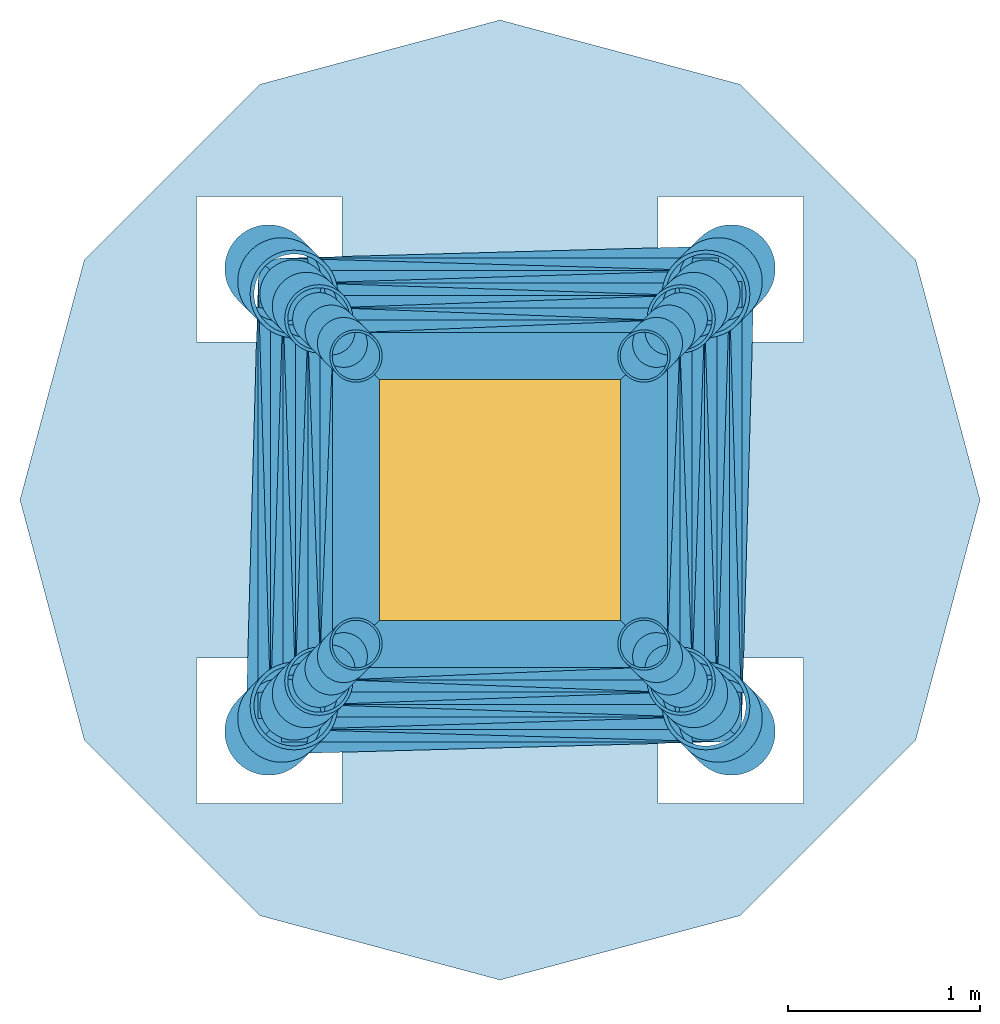
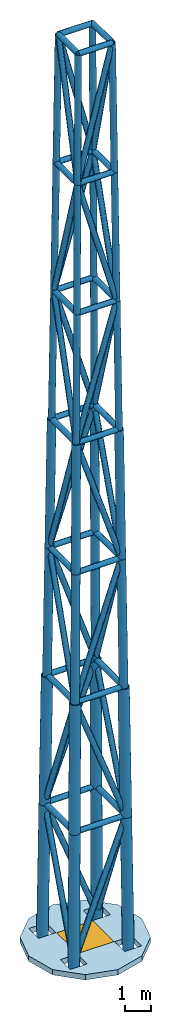
# One storey: 84 members, 1 slab, 1 window, 1 opening.
"""IFC4 building model written with IfcOpenShell, lengths in metres."""

import ifcopenshell
import ifcopenshell.guid

model = None  # the IFC model being written
_history = None  # IfcOwnerHistory: only IFC2X3 demands one
_inside = {}  # id of a spatial element -> (the spatial element, [elements in it])
_under = {}  # id of a project, library or spatial element -> (it, [spatial elements below it])
_declared = {}  # id of a project -> (the project, [libraries it declares])
_typed = {}  # id of a type object -> (the type object, [elements of that type])
_made_of = {}  # id of a material, layer set ... -> (it, [elements and type objects made of it])


def new_model(schema):
    """Start an empty IFC model of exactly this schema.

    Asked for "IFC4X3", IfcOpenShell would pick the latest addendum, in which some entities
    have other attributes; the version numbers below select the first issue.
    IFC2X3 requires an IfcOwnerHistory on every rooted entity: one is made here for all.
    """
    global model, _history
    if schema == "IFC4X3":
        model = ifcopenshell.file(schema_version=(4, 3, 0, 0))
    else:
        model = ifcopenshell.file(schema=schema)
    _inside.clear()
    _under.clear()
    _declared.clear()
    _typed.clear()
    _made_of.clear()
    _history = None
    if model.schema == "IFC2X3":
        org = make("IfcOrganization", Name="unknown")
        user = make(
            "IfcPersonAndOrganization",
            ThePerson=make("IfcPerson", FamilyName="unknown"),
            TheOrganization=org,
        )
        app = make(
            "IfcApplication",
            ApplicationDeveloper=org,
            Version="unknown",
            ApplicationFullName="unknown",
            ApplicationIdentifier="unknown",
        )
        _history = make(
            "IfcOwnerHistory",
            OwningUser=user,
            OwningApplication=app,
            ChangeAction="ADDED",
            CreationDate=0,
        )
    return model


def make(cls, **values):
    """One entity of the class cls with the attributes given. An attribute that is None is left unset."""
    return model.create_entity(
        cls, **{name: value for name, value in values.items() if value is not None}
    )


def rooted(cls, **values):
    """An entity with a GlobalId (a new one), such as an element, a storey or a relation."""
    return make(cls, GlobalId=ifcopenshell.guid.new(), OwnerHistory=_history, **values)


def si_unit(unit_type, name, prefix=None):
    """IfcSIUnit, for example si_unit("LENGTHUNIT", "METRE", prefix="MILLI")."""
    return make("IfcSIUnit", UnitType=unit_type, Prefix=prefix, Name=name)


def assignment(units):
    """IfcUnitAssignment: the units of a project."""
    return None if units is None else make("IfcUnitAssignment", Units=units)


def point(xyz):
    """IfcCartesianPoint."""
    return None if xyz is None else make("IfcCartesianPoint", Coordinates=xyz)


def direction(xyz):
    """IfcDirection."""
    return None if xyz is None else make("IfcDirection", DirectionRatios=xyz)


def frame(location, z_axis=None, x_axis=None):
    """IfcAxis2Placement3D, a coordinate frame: its origin and axes. An axis left out is left unset."""
    return make(
        "IfcAxis2Placement3D",
        Location=point(location),
        Axis=direction(z_axis),
        RefDirection=direction(x_axis),
    )


def frame_2d(location, x_axis=None):
    """IfcAxis2Placement2D, a coordinate frame in the plane: its origin and x axis."""
    return make(
        "IfcAxis2Placement2D", Location=point(location), RefDirection=direction(x_axis)
    )


def origin():
    """The frame at (0, 0, 0) with its axes left unset."""
    return frame((0.0, 0.0, 0.0))


def origin_2d():
    """The frame at (0, 0) in the plane with its x axis left unset."""
    return frame_2d((0.0, 0.0))


def place(relative_to, where):
    """IfcLocalPlacement: puts the frame where relative to a parent placement (None: the world)."""
    return make(
        "IfcLocalPlacement", PlacementRelTo=relative_to, RelativePlacement=where
    )


def context(
    kind, dimensions, precision=None, world=None, true_north=None, identifier=None
):
    """IfcGeometricRepresentationContext, for example the 3D "Model" context."""
    return make(
        "IfcGeometricRepresentationContext",
        ContextIdentifier=identifier,
        ContextType=kind,
        CoordinateSpaceDimension=dimensions,
        Precision=precision,
        WorldCoordinateSystem=world,
        TrueNorth=true_north,
    )


def subcontext(parent, identifier, kind, view, scale=None):
    """IfcGeometricRepresentationSubContext, for example "Body" below "Model"."""
    return make(
        "IfcGeometricRepresentationSubContext",
        ContextIdentifier=identifier,
        ContextType=kind,
        ParentContext=parent,
        TargetScale=scale,
        TargetView=view,
    )


def project(units=None, contexts=None):
    """IfcProject with its units and contexts."""
    return rooted(
        "IfcProject",
        Name="project",
        RepresentationContexts=contexts,
        UnitsInContext=assignment(units),
    )


def spatial(cls, under=None, at=None, **own):
    """A site, building, storey or space (cls), placed at a placement, below another one or the project."""
    s = rooted(cls, ObjectPlacement=at, **own)
    if under is not None:
        _under.setdefault(under.id(), (under, []))[1].append(s)
    return s


def polyline(points):
    """IfcPolyline through the points."""
    return make("IfcPolyline", Points=[point(p) for p in points])


def profile(cls, at=None, kind="AREA", **sizes):
    """A parametric profile (cls). Its sizes go by their IFC names, for example OverallWidth=200.0."""
    return make(cls, ProfileType=kind, Position=at, **sizes)


def rectangle(**sizes):
    """IfcRectangleProfileDef."""
    return profile("IfcRectangleProfileDef", **sizes)


def hollow_circle(**sizes):
    """IfcCircleHollowProfileDef."""
    return profile("IfcCircleHollowProfileDef", **sizes)


def outline(outer, holes=None, kind="AREA"):
    """IfcArbitraryClosedProfileDef: a profile drawn as a closed curve; with holes, ...WithVoids."""
    if holes is None:
        return make("IfcArbitraryClosedProfileDef", ProfileType=kind, OuterCurve=outer)
    return make(
        "IfcArbitraryProfileDefWithVoids",
        ProfileType=kind,
        OuterCurve=outer,
        InnerCurves=holes,
    )


def extrude(swept, where, along, depth):
    """IfcExtrudedAreaSolid: the profile swept, set in the frame where, extruded along a direction by depth."""
    return make(
        "IfcExtrudedAreaSolid",
        SweptArea=swept,
        Position=where,
        ExtrudedDirection=direction(along),
        Depth=depth,
    )


def shape(context_of_items, identifier, shape_type, items):
    """IfcShapeRepresentation: the items that make up one representation, for example the "Body"."""
    return make(
        "IfcShapeRepresentation",
        ContextOfItems=context_of_items,
        RepresentationIdentifier=identifier,
        RepresentationType=shape_type,
        Items=items,
    )


def material(Name=None, Category=None):
    """IfcMaterial."""
    return make("IfcMaterial", Name=Name, Category=Category)


def layer(
    of_material, thickness, ventilated=None, Name=None, Category=None, Priority=None
):
    """IfcMaterialLayer: one layer of a wall or slab, of a material (None: an air gap)."""
    return make(
        "IfcMaterialLayer",
        Material=of_material,
        LayerThickness=thickness,
        IsVentilated=ventilated,
        Name=Name,
        Category=Category,
        Priority=Priority,
    )


def layer_set(layers, Name=None):
    """IfcMaterialLayerSet."""
    return make("IfcMaterialLayerSet", MaterialLayers=layers, LayerSetName=Name)


def material_profile(
    of_material, cross_section, Name=None, Category=None, Priority=None
):
    """IfcMaterialProfile: a cross section and its material."""
    return make(
        "IfcMaterialProfile",
        Name=Name,
        Material=of_material,
        Profile=cross_section,
        Priority=Priority,
        Category=Category,
    )


def profile_set(profiles, Name=None, composite=None):
    """IfcMaterialProfileSet."""
    return make(
        "IfcMaterialProfileSet",
        Name=Name,
        MaterialProfiles=profiles,
        CompositeProfile=composite,
    )


def made_of(thing, what):
    """Note that an element or type object is made of a material, layer set ...; save() writes the relation."""
    if what is not None:
        _made_of.setdefault(what.id(), (what, []))[1].append(thing)
    return thing


def type_object(cls, material=None, **own):
    """A type object (cls), such as IfcWallType, which elements share."""
    return made_of(rooted(cls, **own), material)


def element(
    cls,
    number,
    at=None,
    inside=None,
    cuts=None,
    type_object=None,
    material=None,
    context=None,
    identifier="Body",
    shape_type=None,
    held_by="IfcProductDefinitionShape",
    body=None,
    shapes=None,
    **own,
):
    """One element of the class cls, such as IfcWall. Its Tag is "e" and its number.

    at: its placement. inside: the storey or other place that contains it. cuts: it is an
    opening in that element (IfcRelVoidsElement). A single representation is given by context,
    identifier, shape_type and body (its items); several are given by shapes. held_by: the class
    of the entity that holds the representations. save() writes the other relations.
    """
    e = rooted(cls, Tag="e%d" % number, ObjectPlacement=at, **own)
    if body is not None:
        shapes = [shape(context, identifier, shape_type, body)]
    if shapes is not None:
        e.Representation = make(held_by, Representations=shapes)
    if inside is not None:
        _inside.setdefault(inside.id(), (inside, []))[1].append(e)
    if cuts is not None:
        rooted(
            "IfcRelVoidsElement", RelatingBuildingElement=cuts, RelatedOpeningElement=e
        )
    if type_object is not None:
        _typed.setdefault(type_object.id(), (type_object, []))[1].append(e)
    return made_of(e, material)


def fill(opening, filler):
    """IfcRelFillsElement: the door or window that sits in an opening."""
    return rooted(
        "IfcRelFillsElement",
        RelatingOpeningElement=opening,
        RelatedBuildingElement=filler,
    )


def aggregate(whole, parts):
    """IfcRelAggregates: a whole, such as a stair, and the parts it consists of."""
    return rooted("IfcRelAggregates", RelatingObject=whole, RelatedObjects=parts)


def save(model, path):
    """Write the relations noted so far, then the file.

    IfcRelAggregates (storeys below a building ...), IfcRelContainedInSpatialStructure (elements
    in a storey), IfcRelDefinesByType, IfcRelAssociatesMaterial and IfcRelDeclares: one each for
    every whole, place, type object, material and project.
    """
    for whole, parts in _under.values():
        aggregate(whole, parts)
    for where, things in _inside.values():
        rooted(
            "IfcRelContainedInSpatialStructure",
            RelatedElements=things,
            RelatingStructure=where,
        )
    for kind, things in _typed.values():
        rooted("IfcRelDefinesByType", RelatedObjects=things, RelatingType=kind)
    for what, things in _made_of.values():
        rooted("IfcRelAssociatesMaterial", RelatedObjects=things, RelatingMaterial=what)
    for by, libraries in _declared.values():
        rooted("IfcRelDeclares", RelatingContext=by, RelatedDefinitions=libraries)
    model.write(path)


model = new_model("IFC4")

# Units and contexts
model_context = context("Model", 3, precision=1e-05, world=origin(), true_north=direction((0.0, 1.0)))
body_context = subcontext(model_context, "Body", "Model", "MODEL_VIEW")
ifc_project = project(units=[si_unit("LENGTHUNIT", "METRE"), si_unit("AREAUNIT", "SQUARE_METRE"), si_unit("VOLUMEUNIT", "CUBIC_METRE"), si_unit("PLANEANGLEUNIT", "RADIAN"), si_unit("MASSUNIT", "GRAM", prefix="KILO")], contexts=[model_context])

# Site, building, storey
site_placement = place(None, origin())
site = spatial("IfcSite", under=ifc_project, at=site_placement, CompositionType="ELEMENT")
building_placement = place(site_placement, origin())
building = spatial("IfcBuilding", under=site, at=building_placement, Name="Noorbagh Ring Tower", CompositionType="ELEMENT")
storey_placement = place(building_placement, frame((0.0, 0.0, 364.5)))
storey = spatial("IfcBuildingStorey", under=building, at=storey_placement, Name="ROOF", CompositionType="ELEMENT", Elevation=364.5)

# Members
ifc_material_1 = material(Name="Steel S460", Category="steel")
ifc_material_profile_1 = material_profile(ifc_material_1, hollow_circle(Radius=0.122314453125, WallThickness=0.012451171875, at=origin_2d()), Name="CHS244.5x12.5")
ifc_profile_set_1 = profile_set([ifc_material_profile_1], Name="Steel S460")
member_type_1 = type_object("IfcMemberType", Name="STR-MAST-DIAGONAL-CHS244.5x12.5-S460", PredefinedType="BRACE", material=ifc_profile_set_1)
for number, where, z_axis, x_axis, name in (
    (1, (1.2021484375, 1.2021484375, 0.0), (-0.3632729803, -0.010045637043, 0.931628588527), (0.027642568701, -0.999617871187, 0.0), "Mast diagonal"),
    (2, (-1.2021484375, -1.2021484375, 0.0), (0.010045637043, 0.3632729803, 0.931628588527), (-0.999617871187, 0.027642568701, 0.0), "Mast diagonal"),
    (3, (-1.2021484375, -1.2021484375, 0.0), (0.3632729803, 0.010045637043, 0.931628588527), (-0.027642568701, 0.999617871187, 0.0), "Mast diagonal"),
    (4, (1.2021484375, 1.2021484375, 0.0), (-0.010045637043, -0.3632729803, 0.931628588527), (0.999617871187, -0.027642568701, 0.0), "Mast diagonal"),
):
    element("IfcMember", number, at=place(storey_placement, frame(where, z_axis=z_axis, x_axis=x_axis)), inside=storey, type_object=member_type_1, Name=name, PredefinedType="BRACE", context=body_context, shape_type="SweptSolid", body=[
        extrude(hollow_circle(Radius=0.122314453125, WallThickness=0.012451171875, at=origin_2d()), origin(), (0.0, 0.0, 1.0), 6.4404296875),
    ])
for number, where, z_axis, x_axis, name in (
    (5, (-1.137451171875, 1.137451171875, 6.0), (0.345677181791, -0.010079387673, 0.938299361575), (0.02914599554, 0.99957516523, 0.0), "Mast diagonal"),
    (6, (-1.137451171875, 1.137451171875, 6.0), (0.010079387673, -0.345677181791, 0.938299361575), (0.99957516523, 0.02914599554, 0.0), "Mast diagonal"),
    (7, (1.137451171875, -1.137451171875, 6.0), (-0.345677181791, 0.010079387673, 0.938299361575), (-0.02914599554, -0.99957516523, 0.0), "Mast diagonal"),
    (8, (1.137451171875, -1.137451171875, 6.0), (-0.010079387673, 0.345677181791, 0.938299361575), (-0.99957516523, -0.02914599554, 0.0), "Mast diagonal"),
):
    element("IfcMember", number, at=place(storey_placement, frame(where, z_axis=z_axis, x_axis=x_axis)), inside=storey, type_object=member_type_1, Name=name, PredefinedType="BRACE", context=body_context, shape_type="SweptSolid", body=[
        extrude(hollow_circle(Radius=0.122314453125, WallThickness=0.012451171875, at=origin_2d()), origin(), (0.0, 0.0, 1.0), 6.39453125),
    ])
for number, where, z_axis, x_axis, name in (
    (9, (1.072998046875, 1.072998046875, 12.0), (-0.327708779414, -0.010186841823, 0.944723866613), (0.031070036436, -0.999517209875, 0.0), "Mast diagonal"),
    (10, (-1.072998046875, -1.072998046875, 12.0), (0.010186841823, 0.327708779414, 0.944723866613), (-0.999517209875, 0.031070036436, 0.0), "Mast diagonal"),
    (11, (-1.072998046875, -1.072998046875, 12.0), (0.327708779414, 0.010186841823, 0.944723866613), (-0.031070036436, 0.999517209875, 0.0), "Mast diagonal"),
    (12, (1.072998046875, 1.072998046875, 12.0), (-0.010186841823, -0.327708779414, 0.944723866613), (0.999517209875, -0.031070036436, 0.0), "Mast diagonal"),
):
    element("IfcMember", number, at=place(storey_placement, frame(where, z_axis=z_axis, x_axis=x_axis)), inside=storey, type_object=member_type_1, Name=name, PredefinedType="BRACE", context=body_context, shape_type="SweptSolid", body=[
        extrude(hollow_circle(Radius=0.122314453125, WallThickness=0.012451171875, at=origin_2d()), origin(), (0.0, 0.0, 1.0), 6.35107421875),
    ])
for number, where, z_axis, x_axis, name in (
    (13, (-1.00830078125, 1.00830078125, 18.0), (0.309377888933, -0.010214577624, 0.950884316961), (0.032998527474, 0.999455400298, 0.0), "Mast diagonal"),
    (14, (-1.00830078125, 1.00830078125, 18.0), (0.010214577624, -0.309377888933, 0.950884316961), (0.999455400298, 0.032998527474, 0.0), "Mast diagonal"),
    (15, (1.00830078125, -1.00830078125, 18.0), (-0.309377888933, 0.010214577624, 0.950884316961), (-0.032998527474, -0.999455400298, 0.0), "Mast diagonal"),
    (16, (1.00830078125, -1.00830078125, 18.0), (-0.010214577624, 0.309377888933, 0.950884316961), (-0.999455400298, -0.032998527474, 0.0), "Mast diagonal"),
):
    element("IfcMember", number, at=place(storey_placement, frame(where, z_axis=z_axis, x_axis=x_axis)), inside=storey, type_object=member_type_1, Name=name, PredefinedType="BRACE", context=body_context, shape_type="SweptSolid", body=[
        extrude(hollow_circle(Radius=0.122314453125, WallThickness=0.012451171875, at=origin_2d()), origin(), (0.0, 0.0, 1.0), 6.309814453125),
    ])
for number, where, z_axis, x_axis, name in (
    (17, (0.94384765625, 0.94384765625, 24.0), (-0.290695287518, -0.01031662665, 0.956760062413), (0.035467158596, -0.999370842411, 0.0), "Mast diagonal"),
    (18, (-0.94384765625, -0.94384765625, 24.0), (0.01031662665, 0.290695287518, 0.956760062413), (-0.999370842411, 0.035467158596, 0.0), "Mast diagonal"),
    (19, (-0.94384765625, -0.94384765625, 24.0), (0.290695287518, 0.01031662665, 0.956760062413), (-0.035467158596, 0.999370842411, 0.0), "Mast diagonal"),
    (20, (0.94384765625, 0.94384765625, 24.0), (-0.01031662665, -0.290695287518, 0.956760062413), (0.999370842411, -0.035467158596, 0.0), "Mast diagonal"),
):
    element("IfcMember", number, at=place(storey_placement, frame(where, z_axis=z_axis, x_axis=x_axis)), inside=storey, type_object=member_type_1, Name=name, PredefinedType="BRACE", context=body_context, shape_type="SweptSolid", body=[
        extrude(hollow_circle(Radius=0.122314453125, WallThickness=0.012451171875, at=origin_2d()), origin(), (0.0, 0.0, 1.0), 6.271240234375),
    ])
for number, where, z_axis, x_axis, name in (
    (21, (-0.879150390625, 0.879150390625, 30.0), (0.271674444239, -0.010337568936, 0.962333690056), (0.038023794204, 0.999276834053, 0.0), "Mast diagonal"),
    (22, (-0.879150390625, 0.879150390625, 30.0), (0.010337568936, -0.271674444239, 0.962333690056), (0.999276834053, 0.038023794204, 0.0), "Mast diagonal"),
    (23, (0.879150390625, -0.879150390625, 30.0), (-0.271674444239, 0.010337568936, 0.962333690056), (-0.038023794204, -0.999276834053, 0.0), "Mast diagonal"),
    (24, (0.879150390625, -0.879150390625, 30.0), (-0.010337568936, 0.271674444239, 0.962333690056), (-0.999276834053, -0.038023794204, 0.0), "Mast diagonal"),
):
    element("IfcMember", number, at=place(storey_placement, frame(where, z_axis=z_axis, x_axis=x_axis)), inside=storey, type_object=member_type_1, Name=name, PredefinedType="BRACE", context=body_context, shape_type="SweptSolid", body=[
        extrude(hollow_circle(Radius=0.122314453125, WallThickness=0.012451171875, at=origin_2d()), origin(), (0.0, 0.0, 1.0), 6.23486328125),
    ])
for number, where, z_axis, x_axis, name in (
    (25, (0.814697265625, 0.814697265625, 36.0), (-0.252329624045, -0.010433351595, 0.9675850898), (0.041312803768, -0.999146261688, 0.0), "Mast diagonal"),
    (26, (-0.814697265625, -0.814697265625, 36.0), (0.010433351595, 0.252329624045, 0.9675850898), (-0.999146261688, 0.041312803768, 0.0), "Mast diagonal"),
    (27, (-0.814697265625, -0.814697265625, 36.0), (0.252329624045, 0.010433351595, 0.9675850898), (-0.041312803768, 0.999146261688, 0.0), "Mast diagonal"),
    (28, (0.814697265625, 0.814697265625, 36.0), (-0.010433351595, -0.252329624045, 0.9675850898), (0.999146261688, -0.041312803768, 0.0), "Mast diagonal"),
):
    element("IfcMember", number, at=place(storey_placement, frame(where, z_axis=z_axis, x_axis=x_axis)), inside=storey, type_object=member_type_1, Name=name, PredefinedType="BRACE", context=body_context, shape_type="SweptSolid", body=[
        extrude(hollow_circle(Radius=0.122314453125, WallThickness=0.012451171875, at=origin_2d()), origin(), (0.0, 0.0, 1.0), 6.200927734375),
    ])
ifc_material_2 = material(Name="Steel S460", Category="steel")
ifc_material_profile_2 = material_profile(ifc_material_2, hollow_circle(Radius=0.136474609375, WallThickness=0.012451171875, at=origin_2d()), Name="CHS273x12.5")
ifc_profile_set_2 = profile_set([ifc_material_profile_2], Name="Steel S460")
member_type_2 = type_object("IfcMemberType", Name="STR-MAST-LEG-CHS273x12.5-S460", PredefinedType="POST", material=ifc_profile_set_2)
for number, where, z_axis, x_axis, name in (
    (29, (0.94384765625, 0.94384765625, 24.0), (-0.010781624093, -0.010781624093, 0.999883749825), (0.707106781187, -0.707106781187, 0.0), "Mast leg"),
    (30, (-0.94384765625, 0.94384765625, 24.0), (0.010781624093, -0.010781624093, 0.999883749825), (0.707106781187, 0.707106781187, 0.0), "Mast leg"),
    (31, (-0.94384765625, -0.94384765625, 24.0), (0.010781624093, 0.010781624093, 0.999883749825), (-0.707106781187, 0.707106781187, 0.0), "Mast leg"),
    (32, (0.94384765625, -0.94384765625, 24.0), (-0.010781624093, 0.010781624093, 0.999883749825), (-0.707106781187, -0.707106781187, 0.0), "Mast leg"),
    (33, (0.879150390625, 0.879150390625, 30.0), (-0.010740948124, -0.010740948124, 0.999884625378), (0.707106781187, -0.707106781187, 0.0), "Mast leg"),
    (34, (-0.879150390625, 0.879150390625, 30.0), (0.010740948124, -0.010740948124, 0.999884625378), (0.707106781187, 0.707106781187, 0.0), "Mast leg"),
    (35, (-0.879150390625, -0.879150390625, 30.0), (0.010740948124, 0.010740948124, 0.999884625378), (-0.707106781187, 0.707106781187, 0.0), "Mast leg"),
    (36, (0.879150390625, -0.879150390625, 30.0), (-0.010740948124, 0.010740948124, 0.999884625378), (-0.707106781187, -0.707106781187, 0.0), "Mast leg"),
    (37, (0.814697265625, 0.814697265625, 36.0), (-0.010781624093, -0.010781624093, 0.999883749825), (0.707106781187, -0.707106781187, 0.0), "Mast leg"),
    (38, (-0.814697265625, 0.814697265625, 36.0), (0.010781624093, -0.010781624093, 0.999883749825), (0.707106781187, 0.707106781187, 0.0), "Mast leg"),
    (39, (-0.814697265625, -0.814697265625, 36.0), (0.010781624093, 0.010781624093, 0.999883749825), (-0.707106781187, 0.707106781187, 0.0), "Mast leg"),
    (40, (0.814697265625, -0.814697265625, 36.0), (-0.010781624093, 0.010781624093, 0.999883749825), (-0.707106781187, -0.707106781187, 0.0), "Mast leg"),
):
    element("IfcMember", number, at=place(storey_placement, frame(where, z_axis=z_axis, x_axis=x_axis)), inside=storey, type_object=member_type_2, Name=name, PredefinedType="POST", context=body_context, shape_type="SweptSolid", body=[
        extrude(hollow_circle(Radius=0.136474609375, WallThickness=0.012451171875, at=origin_2d()), origin(), (0.0, 0.0, 1.0), 6.000732421875),
    ])
ifc_material_3 = material(Name="Steel S460", Category="steel")
ifc_material_profile_3 = material_profile(ifc_material_3, hollow_circle(Radius=0.177734375, WallThickness=0.01611328125, at=origin_2d()), Name="CHS355.6x16")
ifc_profile_set_3 = profile_set([ifc_material_profile_3], Name="Steel S460")
member_type_3 = type_object("IfcMemberType", Name="STR-MAST-LEG-CHS355.6x16-S460", PredefinedType="POST", material=ifc_profile_set_3)
for number, where, z_axis, x_axis, name in (
    (41, (1.072998046875, 1.072998046875, 12.0), (-0.010781624093, -0.010781624093, 0.999883749825), (0.707106781187, -0.707106781187, 0.0), "Mast leg"),
    (42, (-1.072998046875, 1.072998046875, 12.0), (0.010781624093, -0.010781624093, 0.999883749825), (0.707106781187, 0.707106781187, 0.0), "Mast leg"),
    (43, (-1.072998046875, -1.072998046875, 12.0), (0.010781624093, 0.010781624093, 0.999883749825), (-0.707106781187, 0.707106781187, 0.0), "Mast leg"),
    (44, (1.072998046875, -1.072998046875, 12.0), (-0.010781624093, 0.010781624093, 0.999883749825), (-0.707106781187, -0.707106781187, 0.0), "Mast leg"),
    (45, (1.00830078125, 1.00830078125, 18.0), (-0.010740948124, -0.010740948124, 0.999884625378), (0.707106781187, -0.707106781187, 0.0), "Mast leg"),
    (46, (-1.00830078125, 1.00830078125, 18.0), (0.010740948124, -0.010740948124, 0.999884625378), (0.707106781187, 0.707106781187, 0.0), "Mast leg"),
    (47, (-1.00830078125, -1.00830078125, 18.0), (0.010740948124, 0.010740948124, 0.999884625378), (-0.707106781187, 0.707106781187, 0.0), "Mast leg"),
    (48, (1.00830078125, -1.00830078125, 18.0), (-0.010740948124, 0.010740948124, 0.999884625378), (-0.707106781187, -0.707106781187, 0.0), "Mast leg"),
):
    element("IfcMember", number, at=place(storey_placement, frame(where, z_axis=z_axis, x_axis=x_axis)), inside=storey, type_object=member_type_3, Name=name, PredefinedType="POST", context=body_context, shape_type="SweptSolid", body=[
        extrude(hollow_circle(Radius=0.177734375, WallThickness=0.01611328125, at=origin_2d()), origin(), (0.0, 0.0, 1.0), 6.000732421875),
    ])
ifc_material_4 = material(Name="Steel S460", Category="steel")
ifc_material_profile_4 = material_profile(ifc_material_4, hollow_circle(Radius=0.228515625, WallThickness=0.02001953125, at=origin_2d()), Name="CHS457x20")
ifc_profile_set_4 = profile_set([ifc_material_profile_4], Name="Steel S460")
member_type_4 = type_object("IfcMemberType", Name="STR-MAST-LEG-CHS457x20-S460", PredefinedType="POST", material=ifc_profile_set_4)
for number, where, z_axis, x_axis, name in (
    (49, (1.204833984375, 1.204833984375, -0.25), (-0.010779997056, -0.010779997056, 0.99988378491), (0.707106781187, -0.707106781187, 0.0), "Mast leg"),
    (50, (-1.204833984375, 1.204833984375, -0.25), (0.010779997056, -0.010779997056, 0.99988378491), (0.707106781187, 0.707106781187, 0.0), "Mast leg"),
    (51, (-1.204833984375, -1.204833984375, -0.25), (0.010779997056, 0.010779997056, 0.99988378491), (-0.707106781187, 0.707106781187, 0.0), "Mast leg"),
    (52, (1.204833984375, -1.204833984375, -0.25), (-0.010779997056, 0.010779997056, 0.99988378491), (-0.707106781187, -0.707106781187, 0.0), "Mast leg"),
):
    element("IfcMember", number, at=place(storey_placement, frame(where, z_axis=z_axis, x_axis=x_axis)), inside=storey, type_object=member_type_4, Name=name, PredefinedType="POST", context=body_context, shape_type="SweptSolid", body=[
        extrude(hollow_circle(Radius=0.228515625, WallThickness=0.02001953125, at=origin_2d()), origin(), (0.0, 0.0, 1.0), 6.250732421875),
    ])
for number, where, z_axis, x_axis, name in (
    (53, (1.137451171875, 1.137451171875, 6.0), (-0.010740948124, -0.010740948124, 0.999884625378), (0.707106781187, -0.707106781187, 0.0), "Mast leg"),
    (54, (-1.137451171875, 1.137451171875, 6.0), (0.010740948124, -0.010740948124, 0.999884625378), (0.707106781187, 0.707106781187, 0.0), "Mast leg"),
    (55, (-1.137451171875, -1.137451171875, 6.0), (0.010740948124, 0.010740948124, 0.999884625378), (-0.707106781187, 0.707106781187, 0.0), "Mast leg"),
    (56, (1.137451171875, -1.137451171875, 6.0), (-0.010740948124, 0.010740948124, 0.999884625378), (-0.707106781187, -0.707106781187, 0.0), "Mast leg"),
):
    element("IfcMember", number, at=place(storey_placement, frame(where, z_axis=z_axis, x_axis=x_axis)), inside=storey, type_object=member_type_4, Name=name, PredefinedType="POST", context=body_context, shape_type="SweptSolid", body=[
        extrude(hollow_circle(Radius=0.228515625, WallThickness=0.02001953125, at=origin_2d()), origin(), (0.0, 0.0, 1.0), 6.000732421875),
    ])
ifc_material_5 = material(Name="Steel S460", Category="steel")
ifc_material_profile_5 = material_profile(ifc_material_5, hollow_circle(Radius=0.122314453125, WallThickness=0.012451171875, at=origin_2d()), Name="CHS244.5x12.5")
ifc_profile_set_5 = profile_set([ifc_material_profile_5], Name="Steel S460")
member_type_5 = type_object("IfcMemberType", Name="STR-MAST-STRUT-CHS244.5x12.5-S460", PredefinedType="STRUT", material=ifc_profile_set_5)
for number, where, z_axis, x_axis, name in (
    (57, (1.137451171875, 1.137451171875, 6.0), (-1.0, 0.0, 0.0), (0.0, -1.0, 0.0), "Mast strut"),
    (58, (-1.137451171875, 1.137451171875, 6.0), (0.0, -1.0, 0.0), (1.0, 0.0, 0.0), "Mast strut"),
    (59, (-1.137451171875, -1.137451171875, 6.0), (1.0, 0.0, 0.0), (0.0, 1.0, 0.0), "Mast strut"),
    (60, (1.137451171875, -1.137451171875, 6.0), (0.0, 1.0, 0.0), (-1.0, 0.0, 0.0), "Mast strut"),
):
    element("IfcMember", number, at=place(storey_placement, frame(where, z_axis=z_axis, x_axis=x_axis)), inside=storey, type_object=member_type_5, Name=name, PredefinedType="STRUT", context=body_context, shape_type="SweptSolid", body=[
        extrude(hollow_circle(Radius=0.122314453125, WallThickness=0.012451171875, at=origin_2d()), origin(), (0.0, 0.0, 1.0), 2.27490234375),
    ])
for number, where, z_axis, x_axis, name in (
    (61, (1.072998046875, 1.072998046875, 12.0), (-1.0, 0.0, 0.0), (0.0, -1.0, 0.0), "Mast strut"),
    (62, (-1.072998046875, 1.072998046875, 12.0), (0.0, -1.0, 0.0), (1.0, 0.0, 0.0), "Mast strut"),
    (63, (-1.072998046875, -1.072998046875, 12.0), (1.0, 0.0, 0.0), (0.0, 1.0, 0.0), "Mast strut"),
    (64, (1.072998046875, -1.072998046875, 12.0), (0.0, 1.0, 0.0), (-1.0, 0.0, 0.0), "Mast strut"),
):
    element("IfcMember", number, at=place(storey_placement, frame(where, z_axis=z_axis, x_axis=x_axis)), inside=storey, type_object=member_type_5, Name=name, PredefinedType="STRUT", context=body_context, shape_type="SweptSolid", body=[
        extrude(hollow_circle(Radius=0.122314453125, WallThickness=0.012451171875, at=origin_2d()), origin(), (0.0, 0.0, 1.0), 2.14599609375),
    ])
for number, where, z_axis, x_axis, name in (
    (65, (1.00830078125, 1.00830078125, 18.0), (-1.0, 0.0, 0.0), (0.0, -1.0, 0.0), "Mast strut"),
    (66, (-1.00830078125, 1.00830078125, 18.0), (0.0, -1.0, 0.0), (1.0, 0.0, 0.0), "Mast strut"),
    (67, (-1.00830078125, -1.00830078125, 18.0), (1.0, 0.0, 0.0), (0.0, 1.0, 0.0), "Mast strut"),
    (68, (1.00830078125, -1.00830078125, 18.0), (0.0, 1.0, 0.0), (-1.0, 0.0, 0.0), "Mast strut"),
):
    element("IfcMember", number, at=place(storey_placement, frame(where, z_axis=z_axis, x_axis=x_axis)), inside=storey, type_object=member_type_5, Name=name, PredefinedType="STRUT", context=body_context, shape_type="SweptSolid", body=[
        extrude(hollow_circle(Radius=0.122314453125, WallThickness=0.012451171875, at=origin_2d()), origin(), (0.0, 0.0, 1.0), 2.0166015625),
    ])
for number, where, z_axis, x_axis, name in (
    (69, (0.94384765625, 0.94384765625, 24.0), (-1.0, 0.0, 0.0), (0.0, -1.0, 0.0), "Mast strut"),
    (70, (-0.94384765625, 0.94384765625, 24.0), (0.0, -1.0, 0.0), (1.0, 0.0, 0.0), "Mast strut"),
    (71, (-0.94384765625, -0.94384765625, 24.0), (1.0, 0.0, 0.0), (0.0, 1.0, 0.0), "Mast strut"),
    (72, (0.94384765625, -0.94384765625, 24.0), (0.0, 1.0, 0.0), (-1.0, 0.0, 0.0), "Mast strut"),
):
    element("IfcMember", number, at=place(storey_placement, frame(where, z_axis=z_axis, x_axis=x_axis)), inside=storey, type_object=member_type_5, Name=name, PredefinedType="STRUT", context=body_context, shape_type="SweptSolid", body=[
        extrude(hollow_circle(Radius=0.122314453125, WallThickness=0.012451171875, at=origin_2d()), origin(), (0.0, 0.0, 1.0), 1.8876953125),
    ])
for number, where, z_axis, x_axis, name in (
    (73, (0.879150390625, 0.879150390625, 30.0), (-1.0, 0.0, 0.0), (0.0, -1.0, 0.0), "Mast strut"),
    (74, (-0.879150390625, 0.879150390625, 30.0), (0.0, -1.0, 0.0), (1.0, 0.0, 0.0), "Mast strut"),
    (75, (-0.879150390625, -0.879150390625, 30.0), (1.0, 0.0, 0.0), (0.0, 1.0, 0.0), "Mast strut"),
    (76, (0.879150390625, -0.879150390625, 30.0), (0.0, 1.0, 0.0), (-1.0, 0.0, 0.0), "Mast strut"),
):
    element("IfcMember", number, at=place(storey_placement, frame(where, z_axis=z_axis, x_axis=x_axis)), inside=storey, type_object=member_type_5, Name=name, PredefinedType="STRUT", context=body_context, shape_type="SweptSolid", body=[
        extrude(hollow_circle(Radius=0.122314453125, WallThickness=0.012451171875, at=origin_2d()), origin(), (0.0, 0.0, 1.0), 1.75830078125),
    ])
for number, where, z_axis, x_axis, name in (
    (77, (0.814697265625, 0.814697265625, 36.0), (-1.0, 0.0, 0.0), (0.0, -1.0, 0.0), "Mast strut"),
    (78, (-0.814697265625, 0.814697265625, 36.0), (0.0, -1.0, 0.0), (1.0, 0.0, 0.0), "Mast strut"),
    (79, (-0.814697265625, -0.814697265625, 36.0), (1.0, 0.0, 0.0), (0.0, 1.0, 0.0), "Mast strut"),
    (80, (0.814697265625, -0.814697265625, 36.0), (0.0, 1.0, 0.0), (-1.0, 0.0, 0.0), "Mast strut"),
):
    element("IfcMember", number, at=place(storey_placement, frame(where, z_axis=z_axis, x_axis=x_axis)), inside=storey, type_object=member_type_5, Name=name, PredefinedType="STRUT", context=body_context, shape_type="SweptSolid", body=[
        extrude(hollow_circle(Radius=0.122314453125, WallThickness=0.012451171875, at=origin_2d()), origin(), (0.0, 0.0, 1.0), 1.62939453125),
    ])
for number, where, z_axis, x_axis, name in (
    (81, (0.75, 0.75, 42.0), (-1.0, 0.0, 0.0), (0.0, -1.0, 0.0), "Mast strut"),
    (82, (-0.75, 0.75, 42.0), (0.0, -1.0, 0.0), (1.0, 0.0, 0.0), "Mast strut"),
    (83, (-0.75, -0.75, 42.0), (1.0, 0.0, 0.0), (0.0, 1.0, 0.0), "Mast strut"),
    (84, (0.75, -0.75, 42.0), (0.0, 1.0, 0.0), (-1.0, 0.0, 0.0), "Mast strut"),
):
    element("IfcMember", number, at=place(storey_placement, frame(where, z_axis=z_axis, x_axis=x_axis)), inside=storey, type_object=member_type_5, Name=name, PredefinedType="STRUT", context=body_context, shape_type="SweptSolid", body=[
        extrude(hollow_circle(Radius=0.122314453125, WallThickness=0.012451171875, at=origin_2d()), origin(), (0.0, 0.0, 1.0), 1.5),
    ])

# Slab, opening, window
ifc_material_6 = material(Name="Concrete C40/50", Category="concrete")
ifc_layer = layer(ifc_material_6, 0.25)
ifc_layer_set = layer_set([ifc_layer], Name="Concrete C40/50")
slab_type = type_object("IfcSlabType", Name="STR-ROOF-DECK-250", PredefinedType="ROOF", material=ifc_layer_set)
slab_placement = place(storey_placement, frame((0.0, 0.0, -0.25)))
slab = element("IfcSlab", 85, at=slab_placement, inside=storey, type_object=slab_type, Name="L78/slab/roof", PredefinedType="ROOF", context=body_context, shape_type="SweptSolid", body=[
    extrude(outline(polyline([(2.5, 0.0), (2.1650390625, 1.25), (1.25, 2.1650390625), (0.0, 2.5), (-1.25, 2.1650390625), (-2.1650390625, 1.25), (-2.5, 0.0), (-2.1650390625, -1.25), (-1.25, -2.1650390625), (0.0, -2.5), (1.25, -2.1650390625), (2.1650390625, -1.25), (2.5, 0.0)]), holes=[polyline([(1.58056640625, -1.58056640625), (0.823486328125, -1.58056640625), (0.823486328125, -0.823486328125), (1.58056640625, -0.823486328125), (1.58056640625, -1.58056640625)]), polyline([(1.58056640625, 0.823486328125), (0.823486328125, 0.823486328125), (0.823486328125, 1.58056640625), (1.58056640625, 1.58056640625), (1.58056640625, 0.823486328125)]), polyline([(-0.823486328125, -1.58056640625), (-1.58056640625, -1.58056640625), (-1.58056640625, -0.823486328125), (-0.823486328125, -0.823486328125), (-0.823486328125, -1.58056640625)]), polyline([(-0.823486328125, 0.823486328125), (-1.58056640625, 0.823486328125), (-1.58056640625, 1.58056640625), (-0.823486328125, 1.58056640625), (-0.823486328125, 0.823486328125)])]), origin(), (0.0, 0.0, 1.0), 0.25),
])
opening_placement = place(slab_placement, origin())
opening = element("IfcOpeningElement", 86, at=opening_placement, cuts=slab, Name="Opening SKL", PredefinedType="OPENING", context=body_context, shape_type="SweptSolid", body=[
    extrude(rectangle(XDim=1.60009765625, YDim=1.60009765625, at=origin_2d()), origin(), (0.0, 0.0, 1.0), 0.25),
])
ifc_material_7 = material(Name="Aluminium and glass", Category="aluminium")
window_type = type_object("IfcWindowType", Name="ENV-ROOFLIGHT", PartitioningType="SINGLE_PANEL", PredefinedType="SKYLIGHT", material=ifc_material_7)
window_placement = place(opening_placement, frame((0.0, 0.0, 0.199951171875)))
window = element("IfcWindow", 87, at=window_placement, inside=storey, type_object=window_type, Name="Rooflight 1", OverallHeight=1.60009765625, OverallWidth=1.60009765625, PartitioningType="SINGLE_PANEL", PredefinedType="SKYLIGHT", context=body_context, shape_type="SweptSolid", body=[
    extrude(rectangle(XDim=1.60009765625, YDim=1.60009765625, at=origin_2d()), origin(), (0.0, 0.0, 1.0), 0.050048828125),
])
fill(opening, window)

save(model, "model.ifc")
